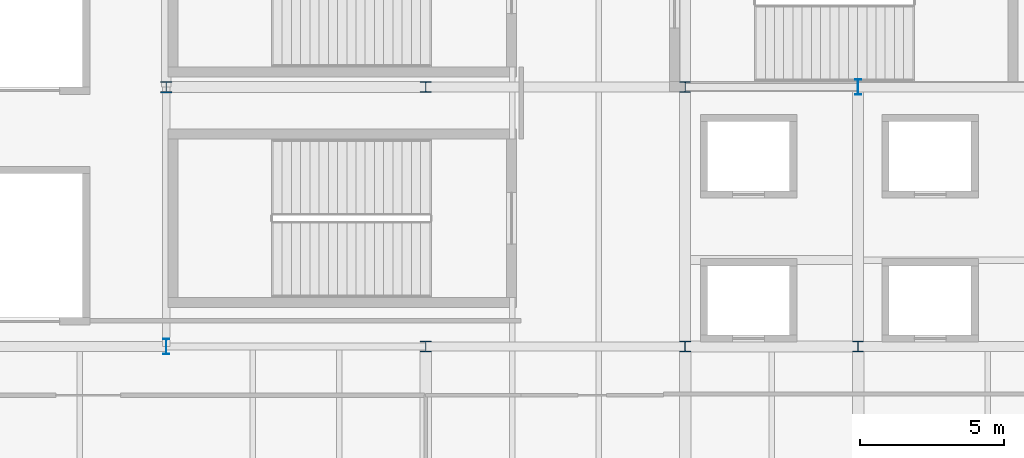
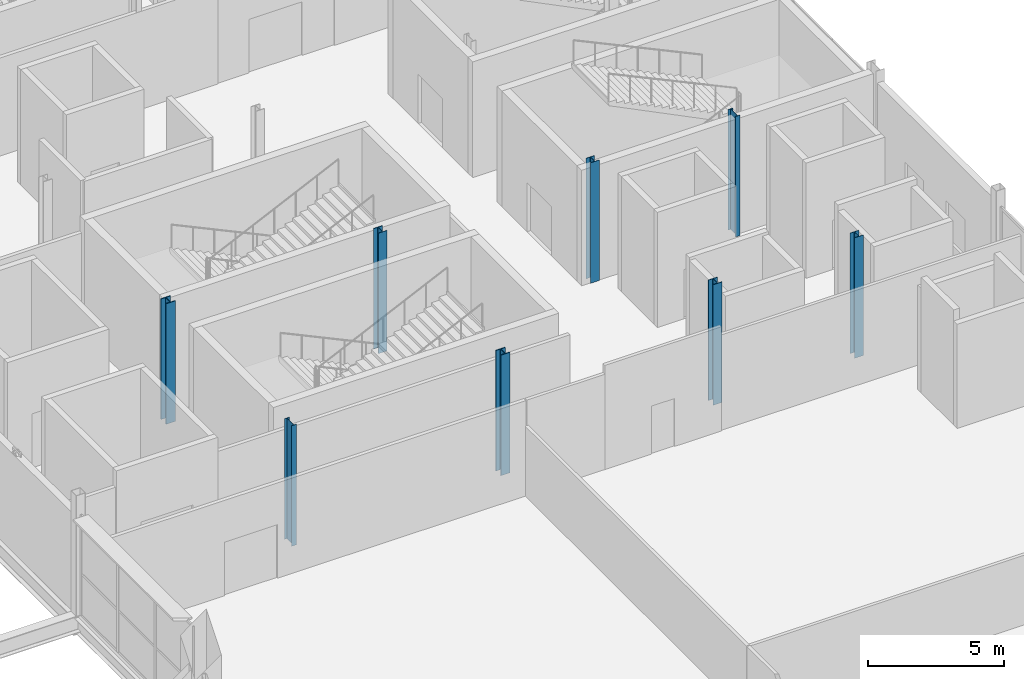
# One storey, part 14 of 119: 8 columns.
"""IFC4 building model written with IfcOpenShell, lengths in metres."""

from ifc_helpers import new_model, si_unit, direction, frame, origin, origin_2d, place, context, subcontext, project, spatial, i_section, extrude, material, material_profile, profile_set, type_object, element, save


model = new_model("IFC4")

# Units and contexts
model_context = context("Model", 3, precision=1e-05, world=origin(), true_north=direction((0.0, 1.0)))
body_context = subcontext(model_context, "Body", "Model", "MODEL_VIEW")
ifc_project = project(units=[si_unit("LENGTHUNIT", "METRE"), si_unit("AREAUNIT", "SQUARE_METRE"), si_unit("VOLUMEUNIT", "CUBIC_METRE"), si_unit("PLANEANGLEUNIT", "RADIAN"), si_unit("MASSUNIT", "GRAM", prefix="KILO")], contexts=[model_context])

# Site, building, storey
site_placement = place(None, origin())
site = spatial("IfcSite", under=ifc_project, at=site_placement, CompositionType="ELEMENT")
building_placement = place(site_placement, origin())
building = spatial("IfcBuilding", under=site, at=building_placement, Name="Qamarlyn Nura Convention Centre", CompositionType="ELEMENT")
storey_placement = place(building_placement, frame((0.0, 0.0, 5.39990234375)))
storey = spatial("IfcBuildingStorey", under=building, at=storey_placement, Name="L01", CompositionType="ELEMENT", Elevation=5.39990234375)

# Columns
ifc_material = material(Name="Steel ASTM A992", Category="steel")
ifc_material_profile_1 = material_profile(ifc_material, i_section(OverallWidth=0.39892578125, OverallDepth=0.39306640625, WebThickness=0.022705078125, FlangeThickness=0.03662109375, FilletRadius=0.01806640625, at=origin_2d()), Name="W360X287")
ifc_profile_set_1 = profile_set([ifc_material_profile_1], Name="Steel ASTM A992")
column_type_1 = type_object("IfcColumnType", Name="COL-WING-1", PredefinedType="COLUMN", material=ifc_profile_set_1)
for number, where, z_axis, x_axis, name in (
    (1, (162.0, 63.0, 0.0), (0.0, 0.0, 1.0), (1.0, 0.0, 0.0), "L01 column 14/H"),
    (2, (171.0, 54.0, 0.0), (0.0, 0.0, 1.0), (1.0, 0.0, 0.0), "L01 column 15/G"),
):
    element("IfcColumn", number, at=place(storey_placement, frame(where, z_axis=z_axis, x_axis=x_axis)), inside=storey, type_object=column_type_1, Name=name, PredefinedType="COLUMN", context=body_context, shape_type="SweptSolid", body=[
        extrude(i_section(OverallWidth=0.39892578125, OverallDepth=0.39306640625, WebThickness=0.022705078125, FlangeThickness=0.03662109375, FilletRadius=0.01806640625, at=origin_2d()), origin(), (0.0, 0.0, 1.0), 5.400146484375),
    ])
ifc_material_profile_2 = material_profile(ifc_material, i_section(OverallWidth=0.3740234375, OverallDepth=0.3720703125, WebThickness=0.016357421875, FlangeThickness=0.026123046875, FilletRadius=0.01611328125, at=origin_2d()), Name="W360X196")
ifc_profile_set_2 = profile_set([ifc_material_profile_2], Name="Steel ASTM A992")
column_type_2 = type_object("IfcColumnType", Name="COL-WING-2", PredefinedType="COLUMN", material=ifc_profile_set_2)
for number, where, z_axis, x_axis, name in (
    (3, (171.0, 63.0, 0.0), (0.0, 0.0, 1.0), (1.0, 0.0, 0.0), "L01 column 15/H"),
    (4, (180.0, 54.0, 0.0), (0.0, 0.0, 1.0), (1.0, 0.0, 0.0), "L01 column 16/G"),
):
    element("IfcColumn", number, at=place(storey_placement, frame(where, z_axis=z_axis, x_axis=x_axis)), inside=storey, type_object=column_type_2, Name=name, PredefinedType="COLUMN", context=body_context, shape_type="SweptSolid", body=[
        extrude(i_section(OverallWidth=0.3740234375, OverallDepth=0.3720703125, WebThickness=0.016357421875, FlangeThickness=0.026123046875, FilletRadius=0.01611328125, at=origin_2d()), origin(), (0.0, 0.0, 1.0), 5.400146484375),
    ])
ifc_material_profile_3 = material_profile(ifc_material, i_section(OverallWidth=0.368896484375, OverallDepth=0.35595703125, WebThickness=0.01123046875, FlangeThickness=0.01806640625, FilletRadius=0.014892578125, at=origin_2d()), Name="W360X134")
ifc_profile_set_3 = profile_set([ifc_material_profile_3], Name="Steel ASTM A992")
column_type_3 = type_object("IfcColumnType", Name="COL-WING-3", PredefinedType="COLUMN", material=ifc_profile_set_3)
for number, where, z_axis, x_axis, name in (
    (5, (180.0, 63.0, 0.0), (0.0, 0.0, 1.0), (1.0, 0.0, 0.0), "L01 column 16/H"),
    (6, (186.0, 54.0, 0.0), (0.0, 0.0, 1.0), (1.0, 0.0, 0.0), "L01 column 17/G"),
):
    element("IfcColumn", number, at=place(storey_placement, frame(where, z_axis=z_axis, x_axis=x_axis)), inside=storey, type_object=column_type_3, Name=name, PredefinedType="COLUMN", context=body_context, shape_type="SweptSolid", body=[
        extrude(i_section(OverallWidth=0.368896484375, OverallDepth=0.35595703125, WebThickness=0.01123046875, FlangeThickness=0.01806640625, FilletRadius=0.014892578125, at=origin_2d()), origin(), (0.0, 0.0, 1.0), 5.400146484375),
    ])
ifc_material_profile_4 = material_profile(ifc_material, i_section(OverallWidth=0.2109375, OverallDepth=0.5390625, WebThickness=0.01171875, FlangeThickness=0.018798828125, FilletRadius=0.013916015625, at=origin_2d()), Name="W530X109")
ifc_profile_set_4 = profile_set([ifc_material_profile_4], Name="Steel ASTM A992")
column_type_4 = type_object("IfcColumnType", Name="COL-WING-7", PredefinedType="COLUMN", material=ifc_profile_set_4)
for number, where, z_axis, x_axis, name in (
    (7, (162.0, 54.0, 0.0), (0.0, 0.0, 1.0), (1.0, 0.0, 0.0), "L01 column 14/G"),
    (8, (186.0, 63.0, 0.0), (0.0, 0.0, 1.0), (1.0, 0.0, 0.0), "L01 column 17/H"),
):
    element("IfcColumn", number, at=place(storey_placement, frame(where, z_axis=z_axis, x_axis=x_axis)), inside=storey, type_object=column_type_4, Name=name, PredefinedType="COLUMN", context=body_context, shape_type="SweptSolid", body=[
        extrude(i_section(OverallWidth=0.2109375, OverallDepth=0.5390625, WebThickness=0.01171875, FlangeThickness=0.018798828125, FilletRadius=0.013916015625, at=origin_2d()), origin(), (0.0, 0.0, 1.0), 5.400146484375),
    ])

save(model, "model.ifc")
